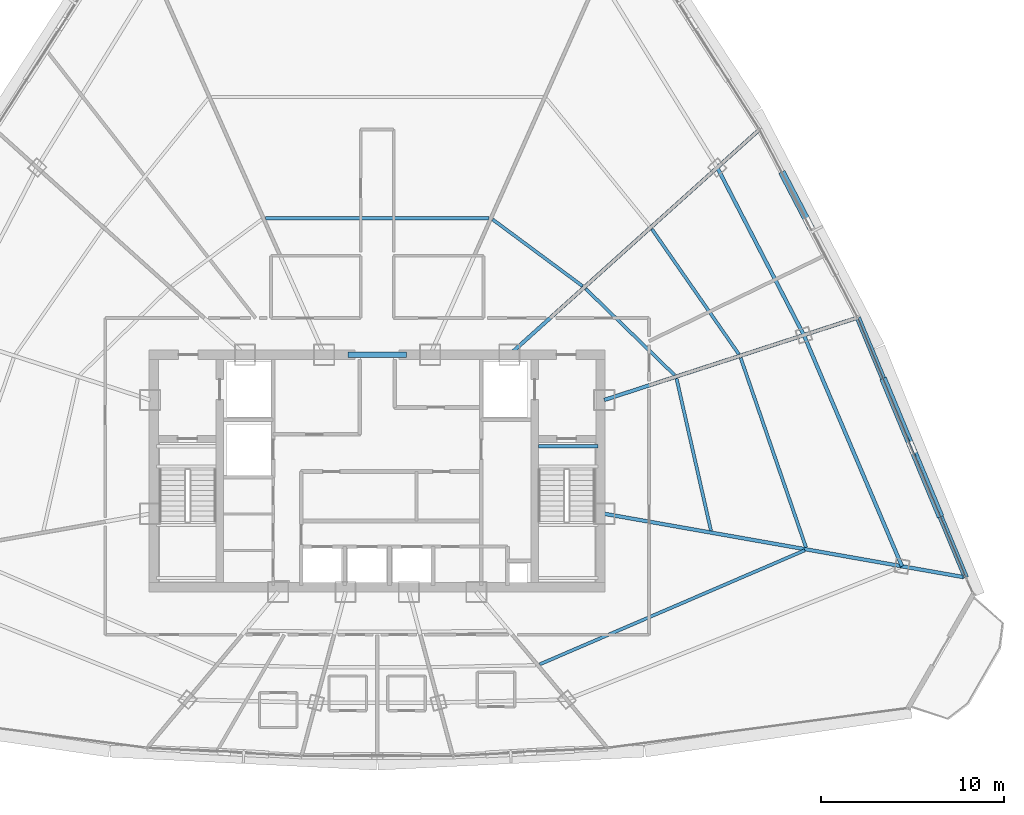
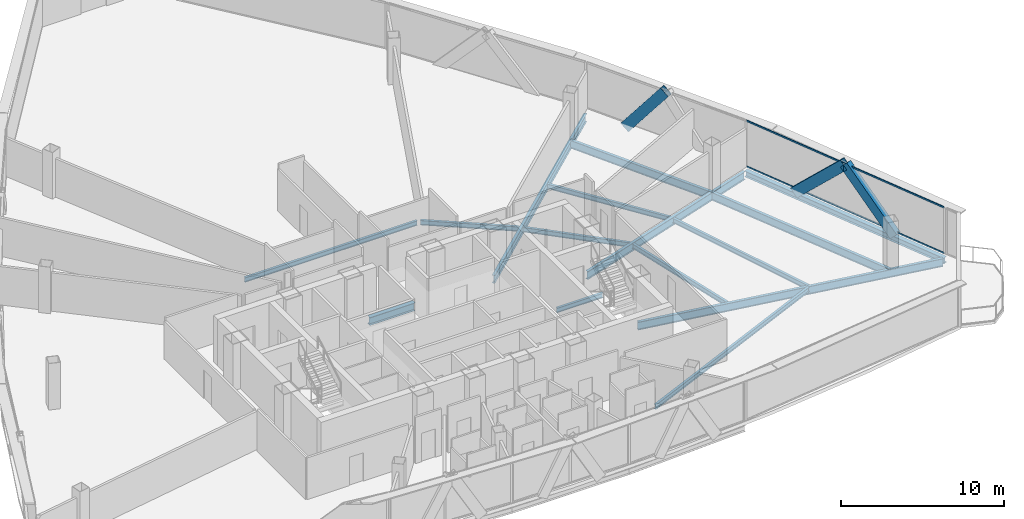
# One storey, part 15 of 37: 15 beams, 5 members, 1 element without a shape of its own.
"""IFC4 building model written with IfcOpenShell, lengths in metres."""

from ifc_helpers import new_model, si_unit, direction, frame, origin, origin_2d, place, context, subcontext, project, spatial, hollow_rectangle, i_section, extrude, source, transform, mapped, material, layer, layer_set, material_profile, profile_set, type_object, element, aggregate, save


model = new_model("IFC4")

# Units and contexts
model_context = context("Model", 3, precision=1e-05, world=origin(), true_north=direction((0.0, 1.0)))
body_context = subcontext(model_context, "Body", "Model", "MODEL_VIEW")
ifc_project = project(units=[si_unit("LENGTHUNIT", "METRE"), si_unit("AREAUNIT", "SQUARE_METRE"), si_unit("VOLUMEUNIT", "CUBIC_METRE"), si_unit("PLANEANGLEUNIT", "RADIAN"), si_unit("MASSUNIT", "GRAM", prefix="KILO"), si_unit("THERMODYNAMICTEMPERATUREUNIT", "KELVIN"), si_unit("POWERUNIT", "WATT")], contexts=[model_context])

# Site, building, storey
site_placement = place(None, origin())
site = spatial("IfcSite", under=ifc_project, at=site_placement, CompositionType="ELEMENT")
building_placement = place(site_placement, origin())
building = spatial("IfcBuilding", under=site, at=building_placement, Name="Yunzhuo Pagoda Commons", CompositionType="ELEMENT")
storey_placement = place(building_placement, frame((0.0, 0.0, 277.56005859375)))
storey = spatial("IfcBuildingStorey", under=building, at=storey_placement, Name="L69", CompositionType="ELEMENT", Elevation=277.56005859375)

# Beams
ifc_material_1 = material(Name="Structural steel Q355B", Category="steel")
ifc_material_profile_1 = material_profile(ifc_material_1, i_section(OverallWidth=0.175048828125, OverallDepth=0.35009765625, WebThickness=0.007080078125, FlangeThickness=0.010986328125, at=origin_2d()), Name="Structural steel Q355B")
ifc_profile_set_1 = profile_set([ifc_material_profile_1], Name="Structural steel Q355B")
beam_type_1 = type_object("IfcBeamType", Name="B-JS2 Joist HN 350x175x7x11", PredefinedType="JOIST", material=ifc_profile_set_1)
shared_shape_1 = source(origin(), body_context, "Body", "SweptSolid", [
    extrude(i_section(OverallWidth=0.175048828125, OverallDepth=0.35009765625, WebThickness=0.007080078125, FlangeThickness=0.010986328125, at=origin_2d()), origin(), (0.0, 0.0, 1.0), 3.25),
])
beam_1_placement = place(storey_placement, frame((56.800048828125, 35.199951171875, -0.375), z_axis=(1.0, 0.0, 0.0), x_axis=(0.0, 1.0, 0.0)))
element("IfcBeam", 1, at=beam_1_placement, inside=storey, type_object=beam_type_1, Name="L69 ST2 landing support beam 173B", PredefinedType="JOIST", context=body_context, shape_type="MappedRepresentation", body=[
    mapped(shared_shape_1, transform((0.0, 0.0, 0.0), scale=1.0)),
])
ifc_material_2 = material(Name="Structural steel Q420B", Category="steel")
ifc_material_profile_2 = material_profile(ifc_material_2, i_section(OverallWidth=0.300048828125, OverallDepth=0.587890625, WebThickness=0.011962890625, FlangeThickness=0.02001953125, at=origin_2d()), Name="Structural steel Q420B")
ifc_profile_set_2 = profile_set([ifc_material_profile_2], Name="Structural steel Q420B")
beam_type_2 = type_object("IfcBeamType", Name="B-CPL Beam HM 588x300x12x20", PredefinedType="BEAM", material=ifc_profile_set_2)
shared_shape_2 = source(origin(), body_context, "Body", "SweptSolid", [
    extrude(i_section(OverallWidth=0.300048828125, OverallDepth=0.587890625, WebThickness=0.011962890625, FlangeThickness=0.02001953125, at=origin_2d()), origin(), (0.0, 0.0, 1.0), 3.2001953125),
])
beam_2_placement = place(storey_placement, frame((46.39990234375, 40.199951171875, -0.5537109375), z_axis=(1.0, 0.0, 0.0), x_axis=(0.0, 1.0, 0.0)))
element("IfcBeam", 2, at=beam_2_placement, inside=storey, type_object=beam_type_2, Name="L69 core coupling girder", PredefinedType="BEAM", context=body_context, shape_type="MappedRepresentation", body=[
    mapped(shared_shape_2, transform((0.0, 0.0, 0.0), scale=1.0)),
])
ifc_material_profile_3 = material_profile(ifc_material_1, i_section(OverallWidth=0.300048828125, OverallDepth=0.43994140625, WebThickness=0.010986328125, FlangeThickness=0.01806640625, at=origin_2d()), Name="Structural steel Q355B")
ifc_profile_set_3 = profile_set([ifc_material_profile_3], Name="Structural steel Q355B")
beam_type_3 = type_object("IfcBeamType", Name="B-SP2 Beam HM 440x300x11x18", PredefinedType="BEAM", material=ifc_profile_set_3)
shared_shape_3 = source(origin(), body_context, "Body", "SweptSolid", [
    extrude(i_section(OverallWidth=0.300048828125, OverallDepth=0.43994140625, WebThickness=0.010986328125, FlangeThickness=0.01806640625, at=origin_2d()), origin(), (0.0, 0.0, 1.0), 15.37548828125),
])
beam_3_placement = place(storey_placement, frame((80.150390625, 28.031005859375, -0.47998046875), z_axis=(-0.383865486512, 0.923389023253, 0.0), x_axis=(-0.923389023253, -0.383865486512, 0.0)))
element("IfcBeam", 3, at=beam_3_placement, inside=storey, type_object=beam_type_3, Name="L69 facade edge spandrel beam F2.1", PredefinedType="BEAM", context=body_context, shape_type="MappedRepresentation", body=[
    mapped(shared_shape_3, transform((0.0, 0.0, 0.0), scale=1.0)),
])
ifc_material_profile_4 = material_profile(ifc_material_1, i_section(OverallWidth=0.199951171875, OverallDepth=0.60009765625, WebThickness=0.010986328125, FlangeThickness=0.01708984375, at=origin_2d()), Name="Structural steel Q355B")
ifc_profile_set_4 = profile_set([ifc_material_profile_4], Name="Structural steel Q355B")
beam_type_4 = type_object("IfcBeamType", Name="B-RG3 Beam HN 600x200x11x17", PredefinedType="BEAM", material=ifc_profile_set_4)
shared_shape_4 = source(origin(), body_context, "Body", "SweptSolid", [
    extrude(i_section(OverallWidth=0.199951171875, OverallDepth=0.60009765625, WebThickness=0.010986328125, FlangeThickness=0.01708984375, at=origin_2d()), origin(), (0.0, 0.0, 1.0), 19.89990234375),
])
beam_4_placement = place(storey_placement, frame((79.99755859375, 28.058349609375, -0.56005859375), z_axis=(-0.984812199238, 0.173622959981, 0.0), x_axis=(-0.173622959981, -0.984812199238, 0.0)))
element("IfcBeam", 4, at=beam_4_placement, inside=storey, type_object=beam_type_4, Name="L69 radial floor girder F2C1", PredefinedType="BEAM", context=body_context, shape_type="MappedRepresentation", body=[
    mapped(shared_shape_4, transform((0.0, 0.0, 0.0), scale=1.0)),
])
shared_shape_5 = source(origin(), body_context, "Body", "SweptSolid", [
    extrude(i_section(OverallWidth=0.199951171875, OverallDepth=0.60009765625, WebThickness=0.010986328125, FlangeThickness=0.01708984375, at=origin_2d()), origin(), (0.0, 0.0, 1.0), 14.406005859375),
])
beam_5_placement = place(storey_placement, frame((74.100830078125, 42.1806640625, -0.56005859375), z_axis=(-0.951057355196, -0.309014412492, 0.0), x_axis=(0.309014412492, -0.951057355196, 0.0)))
element("IfcBeam", 5, at=beam_5_placement, inside=storey, type_object=beam_type_4, Name="L69 radial floor girder F2C2", PredefinedType="BEAM", context=body_context, shape_type="MappedRepresentation", body=[
    mapped(shared_shape_5, transform((0.0, 0.0, 0.0), scale=1.0)),
])
shared_shape_6 = source(origin(), body_context, "Body", "SweptSolid", [
    extrude(i_section(OverallWidth=0.199951171875, OverallDepth=0.60009765625, WebThickness=0.010986328125, FlangeThickness=0.01708984375, at=origin_2d()), origin(), (0.0, 0.0, 1.0), 18.2314453125),
])
beam_6_placement = place(storey_placement, frame((68.767578125, 52.399169921875, -0.56005859375), z_axis=(-0.743144309, -0.669131179964, 0.0), x_axis=(0.669131179964, -0.743144309, 0.0)))
element("IfcBeam", 6, at=beam_6_placement, inside=storey, type_object=beam_type_4, Name="L69 radial floor girder F2C3", PredefinedType="BEAM", context=body_context, shape_type="MappedRepresentation", body=[
    mapped(shared_shape_6, transform((0.0, 0.0, 0.0), scale=1.0)),
])
shared_shape_7 = source(origin(), body_context, "Body", "SweptSolid", [
    extrude(i_section(OverallWidth=0.175048828125, OverallDepth=0.35009765625, WebThickness=0.007080078125, FlangeThickness=0.010986328125, at=origin_2d()), origin(), (0.0, 0.0, 1.0), 15.757080078125),
])
beam_7_placement = place(storey_placement, frame((56.8779296875, 23.291259765625, -0.43505859375), z_axis=(0.918592756952, 0.395205448945, 0.0), x_axis=(-0.395205448945, 0.918592756952, 0.0)))
element("IfcBeam", 7, at=beam_7_placement, inside=storey, type_object=beam_type_1, Name="L69 composite ring joist 2.4", PredefinedType="JOIST", context=body_context, shape_type="MappedRepresentation", body=[
    mapped(shared_shape_7, transform((0.0, 0.0, 0.0), scale=1.0)),
])
shared_shape_8 = source(origin(), body_context, "Body", "SweptSolid", [
    extrude(i_section(OverallWidth=0.199951171875, OverallDepth=0.60009765625, WebThickness=0.010986328125, FlangeThickness=0.01708984375, at=origin_2d()), origin(), (0.0, 0.0, 1.0), 13.715576171875),
])
beam_8_placement = place(storey_placement, frame((76.66162109375, 28.646240234375, -0.56005859375), z_axis=(-0.390733146992, 0.920503996646, 0.0), x_axis=(-0.920503996646, -0.390733146992, 0.0)))
element("IfcBeam", 8, at=beam_8_placement, inside=storey, type_object=beam_type_4, Name="L69 column-ring beam 5", PredefinedType="BEAM", context=body_context, shape_type="MappedRepresentation", body=[
    mapped(shared_shape_8, transform((0.0, 0.0, 0.0), scale=1.0)),
])
shared_shape_9 = source(origin(), body_context, "Body", "SweptSolid", [
    extrude(i_section(OverallWidth=0.175048828125, OverallDepth=0.35009765625, WebThickness=0.007080078125, FlangeThickness=0.010986328125, at=origin_2d()), origin(), (0.0, 0.0, 1.0), 8.508544921875),
])
beam_9_placement = place(storey_placement, frame((66.228759765625, 30.593505859375, -0.43505859375), z_axis=(-0.220769003385, 0.975326123481, 0.0), x_axis=(-0.975326123481, -0.220769003385, 0.0)))
element("IfcBeam", 9, at=beam_9_placement, inside=storey, type_object=beam_type_1, Name="L69 composite ring joist 1.5", PredefinedType="JOIST", context=body_context, shape_type="MappedRepresentation", body=[
    mapped(shared_shape_9, transform((0.0, 0.0, 0.0), scale=1.0)),
])
shared_shape_10 = source(origin(), body_context, "Body", "SweptSolid", [
    extrude(i_section(OverallWidth=0.175048828125, OverallDepth=0.35009765625, WebThickness=0.007080078125, FlangeThickness=0.010986328125, at=origin_2d()), origin(), (0.0, 0.0, 1.0), 10.954345703125),
])
beam_10_placement = place(storey_placement, frame((71.42041015625, 29.672607421875, -0.43505859375), z_axis=(-0.325839571137, 0.945425075763, 0.0), x_axis=(-0.945425075763, -0.325839571137, 0.0)))
element("IfcBeam", 10, at=beam_10_placement, inside=storey, type_object=beam_type_1, Name="L69 composite ring joist 2.5", PredefinedType="JOIST", context=body_context, shape_type="MappedRepresentation", body=[
    mapped(shared_shape_10, transform((0.0, 0.0, 0.0), scale=1.0)),
])
shared_shape_11 = source(origin(), body_context, "Body", "SweptSolid", [
    extrude(i_section(OverallWidth=0.199951171875, OverallDepth=0.60009765625, WebThickness=0.010986328125, FlangeThickness=0.01708984375, at=origin_2d()), origin(), (0.0, 0.0, 1.0), 10.3017578125),
])
beam_11_placement = place(storey_placement, frame((71.302490234375, 41.271484375, -0.56005859375), z_axis=(-0.459070867827, 0.888399650108, 0.0), x_axis=(-0.888399650108, -0.459070867827, 0.0)))
element("IfcBeam", 11, at=beam_11_placement, inside=storey, type_object=beam_type_4, Name="L69 column-ring beam 6", PredefinedType="BEAM", context=body_context, shape_type="MappedRepresentation", body=[
    mapped(shared_shape_11, transform((0.0, 0.0, 0.0), scale=1.0)),
])
shared_shape_12 = source(origin(), body_context, "Body", "SweptSolid", [
    extrude(i_section(OverallWidth=0.175048828125, OverallDepth=0.35009765625, WebThickness=0.007080078125, FlangeThickness=0.010986328125, at=origin_2d()), origin(), (0.0, 0.0, 1.0), 6.767333984375),
])
beam_12_placement = place(storey_placement, frame((64.242431640625, 39.08447265625, -0.43505859375), z_axis=(-0.717207253673, 0.696859925149, 0.0), x_axis=(-0.696859925149, -0.717207253673, 0.0)))
element("IfcBeam", 12, at=beam_12_placement, inside=storey, type_object=beam_type_1, Name="L69 composite ring joist 1.6", PredefinedType="JOIST", context=body_context, shape_type="MappedRepresentation", body=[
    mapped(shared_shape_12, transform((0.0, 0.0, 0.0), scale=1.0)),
])
shared_shape_13 = source(origin(), body_context, "Body", "SweptSolid", [
    extrude(i_section(OverallWidth=0.175048828125, OverallDepth=0.35009765625, WebThickness=0.007080078125, FlangeThickness=0.010986328125, at=origin_2d()), origin(), (0.0, 0.0, 1.0), 8.31103515625),
])
beam_13_placement = place(storey_placement, frame((67.748046875, 40.232421875, -0.43505859375), z_axis=(-0.570615989364, 0.821217019236, 0.0), x_axis=(-0.821217019236, -0.570615989364, 0.0)))
element("IfcBeam", 13, at=beam_13_placement, inside=storey, type_object=beam_type_1, Name="L69 composite ring joist 2.6", PredefinedType="JOIST", context=body_context, shape_type="MappedRepresentation", body=[
    mapped(shared_shape_13, transform((0.0, 0.0, 0.0), scale=1.0)),
])
shared_shape_14 = source(origin(), body_context, "Body", "SweptSolid", [
    extrude(i_section(OverallWidth=0.175048828125, OverallDepth=0.35009765625, WebThickness=0.007080078125, FlangeThickness=0.010986328125, at=origin_2d()), origin(), (0.0, 0.0, 1.0), 6.109619140625),
])
beam_14_placement = place(storey_placement, frame((59.214111328125, 43.948974609375, -0.43505859375), z_axis=(-0.803396474468, 0.595444459888, 0.0), x_axis=(-0.595444459888, -0.803396474468, 0.0)))
element("IfcBeam", 14, at=beam_14_placement, inside=storey, type_object=beam_type_1, Name="L69 composite ring joist 1.7", PredefinedType="JOIST", context=body_context, shape_type="MappedRepresentation", body=[
    mapped(shared_shape_14, transform((0.0, 0.0, 0.0), scale=1.0)),
])
shared_shape_15 = source(origin(), body_context, "Body", "SweptSolid", [
    extrude(i_section(OverallWidth=0.175048828125, OverallDepth=0.35009765625, WebThickness=0.007080078125, FlangeThickness=0.010986328125, at=origin_2d()), origin(), (0.0, 0.0, 1.0), 12.19677734375),
])
beam_15_placement = place(storey_placement, frame((54.098388671875, 47.6552734375, -0.43505859375), z_axis=(-1.0, 0.0, 0.0), x_axis=(0.0, -1.0, 0.0)))
element("IfcBeam", 15, at=beam_15_placement, inside=storey, type_object=beam_type_1, Name="L69 composite ring joist 1.8", PredefinedType="JOIST", context=body_context, shape_type="MappedRepresentation", body=[
    mapped(shared_shape_15, transform((0.0, 0.0, 0.0), scale=1.0)),
])

# Members
ifc_material_profile_5 = material_profile(ifc_material_1, hollow_rectangle(XDim=0.3798828125, YDim=0.719970703125, WallThickness=0.02001953125, at=origin_2d()), Name="Structural steel Q355B")
ifc_profile_set_5 = profile_set([ifc_material_profile_5], Name="Structural steel Q355B")
member_type_1 = type_object("IfcMemberType", Name="M-DL3 Brace BOX 720x380x20", PredefinedType="BRACE", material=ifc_profile_set_5)
shared_shape_16 = source(origin(), body_context, "Body", "SweptSolid", [
    extrude(hollow_rectangle(XDim=0.3798828125, YDim=0.719970703125, WallThickness=0.02001953125, at=origin_2d()), origin(), (0.0, 0.0, 1.0), 5.356201171875),
])
member_1_placement = place(storey_placement, frame((78.6748046875, 31.58056640625, -0.260009765625), z_axis=(-0.275496588463, 0.662668663645, 0.696399218817), x_axis=(-0.923381054941, -0.383884653739, 0.0)))
element("IfcMember", 16, at=member_1_placement, inside=storey, type_object=member_type_1, Name="L69 facade diamond brace F2.1L", PredefinedType="BRACE", context=body_context, shape_type="MappedRepresentation", body=[
    mapped(shared_shape_16, transform((0.0, 0.0, 0.0), scale=1.0)),
])
shared_shape_17 = source(origin(), body_context, "Body", "SweptSolid", [
    extrude(hollow_rectangle(XDim=0.3798828125, YDim=0.719970703125, WallThickness=0.02001953125, at=origin_2d()), origin(), (0.0, 0.0, 1.0), 5.35595703125),
])
member_2_placement = place(storey_placement, frame((75.723876953125, 38.67919921875, -0.260009765625), z_axis=(0.27545446542, -0.662676984667, 0.696407963388), x_axis=(0.923403568179, 0.383830496802, 0.0)))
element("IfcMember", 17, at=member_2_placement, inside=storey, type_object=member_type_1, Name="L69 facade diamond brace F2.1R", PredefinedType="BRACE", context=body_context, shape_type="MappedRepresentation", body=[
    mapped(shared_shape_17, transform((0.0, 0.0, 0.0), scale=1.0)),
])
shared_shape_18 = source(origin(), body_context, "Body", "SweptSolid", [
    extrude(hollow_rectangle(XDim=0.3798828125, YDim=0.719970703125, WallThickness=0.02001953125, at=origin_2d()), origin(), (0.0, 0.0, 1.0), 4.723388671875),
])
member_3_placement = place(storey_placement, frame((70.22412109375, 49.934326171875, -0.260009765625), z_axis=(0.283976852439, -0.543815155536, 0.78969755216), x_axis=(0.886419539705, 0.462882706125, 0.0)))
element("IfcMember", 18, at=member_3_placement, inside=storey, type_object=member_type_1, Name="L69 facade diamond brace F2.2R", PredefinedType="BRACE", context=body_context, shape_type="MappedRepresentation", body=[
    mapped(shared_shape_18, transform((0.0, 0.0, 0.0), scale=1.0)),
])

# Curtain wall, members
ifc_material_3 = material(Name="Anodized aluminium 6063-T6", Category="aluminium")
ifc_layer = layer(ifc_material_3, 0.139892578125)
ifc_layer_set = layer_set([ifc_layer], Name="Anodized aluminium 6063-T6")
curtain_wall_type = type_object("IfcCurtainWallType", Name="CW-HI High-Zone Ribbon Curtain Wall", PredefinedType="NOTDEFINED", material=ifc_layer_set)
curtain_wall_placement = place(storey_placement, origin())
curtain_wall = element("IfcCurtainWall", 19, at=curtain_wall_placement, inside=storey, type_object=curtain_wall_type, Name="L69 curtain wall CW-L69-F2B2", PredefinedType="NOTDEFINED")
ifc_material_profile_6 = material_profile(ifc_material_3, hollow_rectangle(XDim=0.054931640625, YDim=0.1201171875, WallThickness=0.00341796875, at=origin_2d()), Name="Anodized aluminium 6063-T6")
ifc_profile_set_6 = profile_set([ifc_material_profile_6], Name="Anodized aluminium 6063-T6")
member_type_2 = type_object("IfcMemberType", Name="CW-HI-T Transom RHS 120x55x3.5", PredefinedType="USERDEFINED", material=ifc_profile_set_6)
shared_shape_19 = source(origin(), body_context, "Body", "SweptSolid", [
    extrude(hollow_rectangle(XDim=0.054931640625, YDim=0.1201171875, WallThickness=0.00341796875, at=origin_2d()), origin(), (0.0, 0.0, 1.0), 15.25537109375),
])
member_4_placement = place(storey_placement, frame((80.127197265625, 28.08642578125, 0.02734375), z_axis=(-0.383861857229, 0.923390531988, 0.0), x_axis=(-0.923390531988, -0.383861857229, 0.0)))
member_4 = element("IfcMember", 20, at=member_4_placement, type_object=member_type_2, Name="CW transom 1.1", ObjectType="TRANSOM", PredefinedType="USERDEFINED", context=body_context, shape_type="MappedRepresentation", body=[
    mapped(shared_shape_19, transform((0.0, 0.0, 0.0), scale=1.0)),
])
member_5_placement = place(storey_placement, frame((80.127197265625, 28.08642578125, 3.4423828125), z_axis=(-0.383861857229, 0.923390531988, 0.0), x_axis=(-0.923390531988, -0.383861857229, 0.0)))
member_5 = element("IfcMember", 21, at=member_5_placement, type_object=member_type_2, Name="CW transom 1.2", ObjectType="TRANSOM", PredefinedType="USERDEFINED", context=body_context, shape_type="MappedRepresentation", body=[
    mapped(shared_shape_19, transform((0.0, 0.0, 0.0), scale=1.0)),
])
aggregate(curtain_wall, [member_4, member_5])

save(model, "model.ifc")
